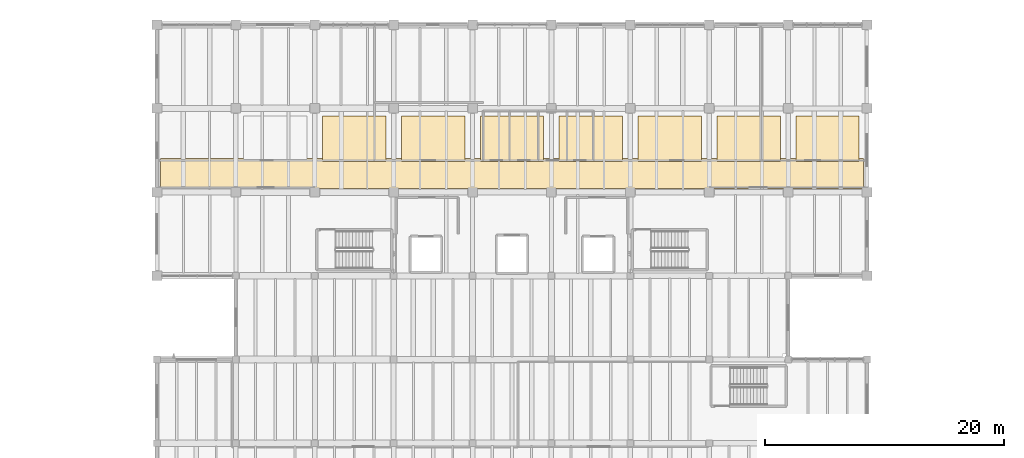
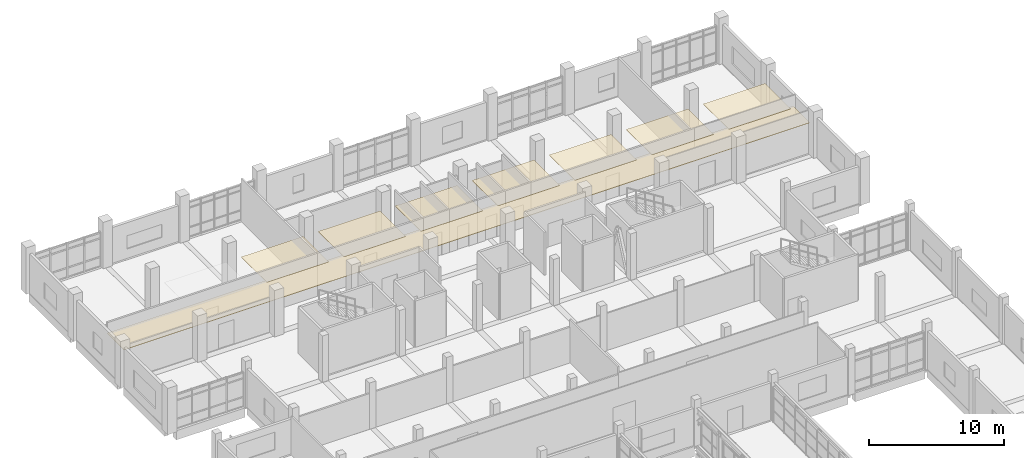
# One storey, part 67 of 67: 8 coverings.
"""IFC4 building model written with IfcOpenShell, lengths in metres."""

from ifc_helpers import new_model, si_unit, direction, frame, origin, place, context, subcontext, project, spatial, polyline, outline, extrude, material, layer, layer_set, type_object, element, save


model = new_model("IFC4")

# Units and contexts
model_context = context("Model", 3, precision=1e-05, world=origin(), true_north=direction((0.0, 1.0)))
body_context = subcontext(model_context, "Body", "Model", "MODEL_VIEW")
ifc_project = project(units=[si_unit("LENGTHUNIT", "METRE"), si_unit("AREAUNIT", "SQUARE_METRE"), si_unit("VOLUMEUNIT", "CUBIC_METRE"), si_unit("PLANEANGLEUNIT", "RADIAN"), si_unit("MASSUNIT", "GRAM", prefix="KILO")], contexts=[model_context])

# Site, building, storey
site_placement = place(None, origin())
site = spatial("IfcSite", under=ifc_project, at=site_placement, CompositionType="ELEMENT")
building_placement = place(site_placement, origin())
building = spatial("IfcBuilding", under=site, at=building_placement, Name="Ciguamira Faculty of Natural Sciences", CompositionType="ELEMENT")
storey_placement = place(building_placement, frame((0.0, 0.0, 8.39990234375)))
storey = spatial("IfcBuildingStorey", under=building, at=storey_placement, Name="L02", CompositionType="ELEMENT", Elevation=8.39990234375)

# Coverings
ifc_material = material(Name="Perforated white acoustic ceiling")
ifc_layer = layer(ifc_material, 0.0400390625, Name="Perforated white acoustic ceiling")
ifc_layer_set = layer_set([ifc_layer], Name="Perforated white acoustic ceiling")
covering_type = type_object("IfcCoveringType", Name="AcousticCeiling_AC01", PredefinedType="CEILING", material=ifc_layer_set)
covering_1_placement = place(storey_placement, frame((0.0, 0.0, 2.760009765625)))
element("IfcCovering", 1, at=covering_1_placement, inside=storey, type_object=covering_type, Name="L02 corridor acoustic ceiling", PredefinedType="CEILING", context=body_context, shape_type="SweptSolid", body=[
    extrude(outline(polyline([(57.60009765625, 101.300048828125), (116.39990234375, 101.300048828125), (116.39990234375, 103.800048828125), (57.60009765625, 103.800048828125), (57.60009765625, 101.300048828125)])), origin(), (0.0, 0.0, 1.0), 0.0400390625),
])
covering_2_placement = place(storey_placement, frame((0.0, 0.0, 2.760009765625)))
element("IfcCovering", 2, at=covering_2_placement, inside=storey, type_object=covering_type, Name="L02 research bay 02 acoustic ceiling", PredefinedType="CEILING", context=body_context, shape_type="SweptSolid", body=[
    extrude(outline(polyline([(71.14990234375, 103.550048828125), (76.449951171875, 103.550048828125), (76.449951171875, 107.35009765625), (71.14990234375, 107.35009765625), (71.14990234375, 103.550048828125)])), origin(), (0.0, 0.0, 1.0), 0.0400390625),
])
covering_3_placement = place(storey_placement, frame((0.0, 0.0, 2.760009765625)))
element("IfcCovering", 3, at=covering_3_placement, inside=storey, type_object=covering_type, Name="L02 research bay 03 acoustic ceiling", PredefinedType="CEILING", context=body_context, shape_type="SweptSolid", body=[
    extrude(outline(polyline([(77.75, 103.550048828125), (83.050048828125, 103.550048828125), (83.050048828125, 107.35009765625), (77.75, 107.35009765625), (77.75, 103.550048828125)])), origin(), (0.0, 0.0, 1.0), 0.0400390625),
])
covering_4_placement = place(storey_placement, frame((0.0, 0.0, 2.760009765625)))
element("IfcCovering", 4, at=covering_4_placement, inside=storey, type_object=covering_type, Name="L02 research bay 04 acoustic ceiling", PredefinedType="CEILING", context=body_context, shape_type="SweptSolid", body=[
    extrude(outline(polyline([(84.35009765625, 103.550048828125), (89.64990234375, 103.550048828125), (89.64990234375, 107.35009765625), (84.35009765625, 107.35009765625), (84.35009765625, 103.550048828125)])), origin(), (0.0, 0.0, 1.0), 0.0400390625),
])
covering_5_placement = place(storey_placement, frame((0.0, 0.0, 2.760009765625)))
element("IfcCovering", 5, at=covering_5_placement, inside=storey, type_object=covering_type, Name="L02 research bay 05 acoustic ceiling", PredefinedType="CEILING", context=body_context, shape_type="SweptSolid", body=[
    extrude(outline(polyline([(90.949951171875, 103.550048828125), (96.25, 103.550048828125), (96.25, 107.35009765625), (90.949951171875, 107.35009765625), (90.949951171875, 103.550048828125)])), origin(), (0.0, 0.0, 1.0), 0.0400390625),
])
covering_6_placement = place(storey_placement, frame((0.0, 0.0, 2.760009765625)))
element("IfcCovering", 6, at=covering_6_placement, inside=storey, type_object=covering_type, Name="L02 research bay 06 acoustic ceiling", PredefinedType="CEILING", context=body_context, shape_type="SweptSolid", body=[
    extrude(outline(polyline([(97.550048828125, 103.550048828125), (102.85009765625, 103.550048828125), (102.85009765625, 107.35009765625), (97.550048828125, 107.35009765625), (97.550048828125, 103.550048828125)])), origin(), (0.0, 0.0, 1.0), 0.0400390625),
])
covering_7_placement = place(storey_placement, frame((0.0, 0.0, 2.760009765625)))
element("IfcCovering", 7, at=covering_7_placement, inside=storey, type_object=covering_type, Name="L02 research bay 07 acoustic ceiling", PredefinedType="CEILING", context=body_context, shape_type="SweptSolid", body=[
    extrude(outline(polyline([(104.14990234375, 103.550048828125), (109.449951171875, 103.550048828125), (109.449951171875, 107.35009765625), (104.14990234375, 107.35009765625), (104.14990234375, 103.550048828125)])), origin(), (0.0, 0.0, 1.0), 0.0400390625),
])
covering_8_placement = place(storey_placement, frame((0.0, 0.0, 2.760009765625)))
element("IfcCovering", 8, at=covering_8_placement, inside=storey, type_object=covering_type, Name="L02 research bay 08 acoustic ceiling", PredefinedType="CEILING", context=body_context, shape_type="SweptSolid", body=[
    extrude(outline(polyline([(110.75, 103.550048828125), (116.050048828125, 103.550048828125), (116.050048828125, 107.35009765625), (110.75, 107.35009765625), (110.75, 103.550048828125)])), origin(), (0.0, 0.0, 1.0), 0.0400390625),
])

save(model, "model.ifc")
